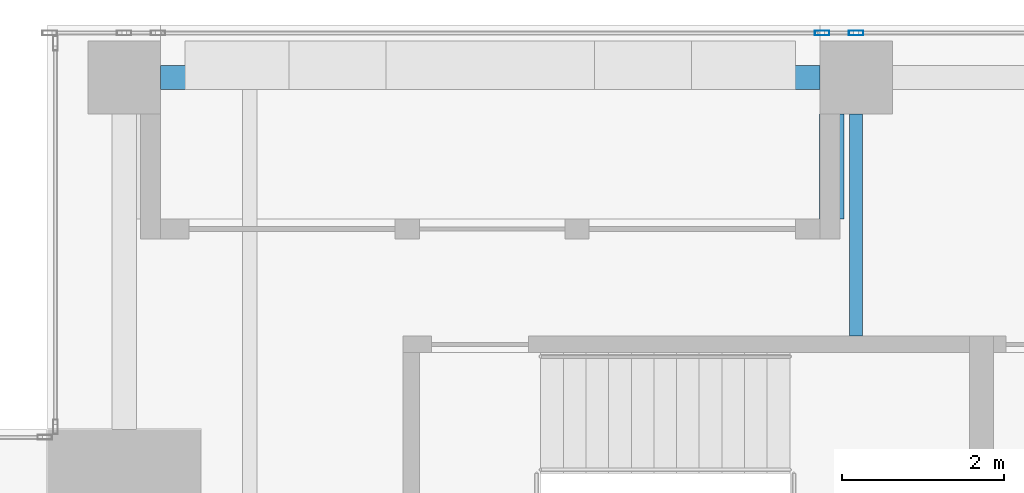
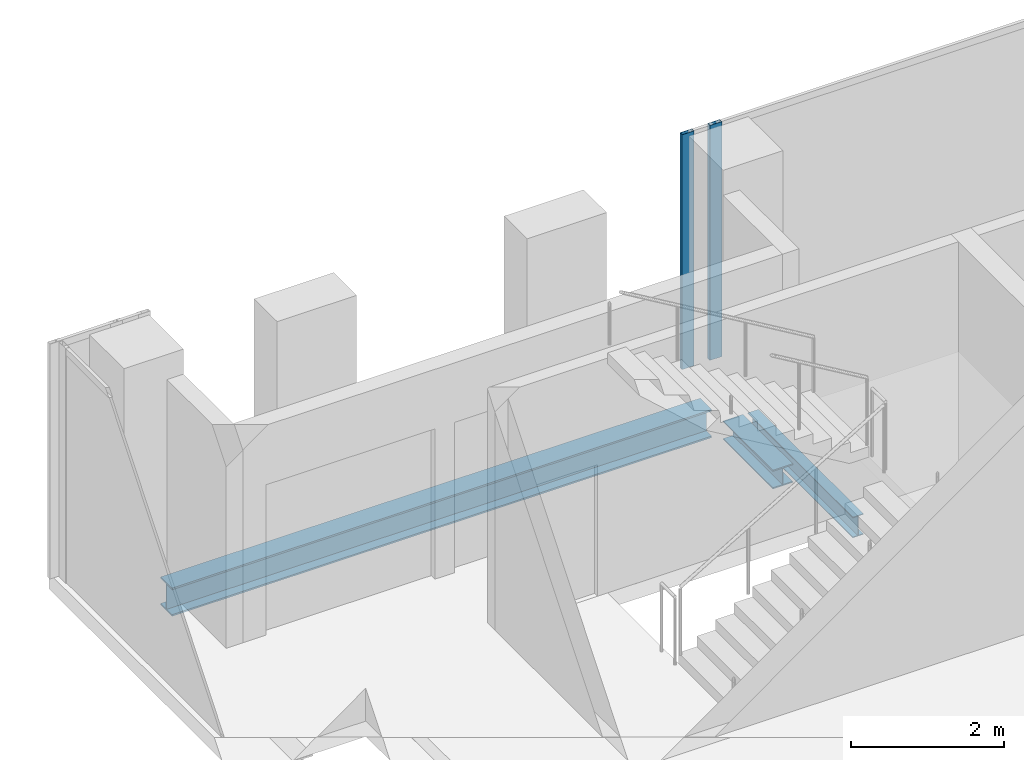
# One storey, part 19 of 36: 3 beams, 2 members, 1 element without a shape of its own.
"""IFC4 building model written with IfcOpenShell, lengths in metres."""

import ifcopenshell
import ifcopenshell.guid

model = None  # the IFC model being written
_history = None  # IfcOwnerHistory: only IFC2X3 demands one
_inside = {}  # id of a spatial element -> (the spatial element, [elements in it])
_under = {}  # id of a project, library or spatial element -> (it, [spatial elements below it])
_declared = {}  # id of a project -> (the project, [libraries it declares])
_typed = {}  # id of a type object -> (the type object, [elements of that type])
_made_of = {}  # id of a material, layer set ... -> (it, [elements and type objects made of it])


def new_model(schema):
    """Start an empty IFC model of exactly this schema.

    Asked for "IFC4X3", IfcOpenShell would pick the latest addendum, in which some entities
    have other attributes; the version numbers below select the first issue.
    IFC2X3 requires an IfcOwnerHistory on every rooted entity: one is made here for all.
    """
    global model, _history
    if schema == "IFC4X3":
        model = ifcopenshell.file(schema_version=(4, 3, 0, 0))
    else:
        model = ifcopenshell.file(schema=schema)
    _inside.clear()
    _under.clear()
    _declared.clear()
    _typed.clear()
    _made_of.clear()
    _history = None
    if model.schema == "IFC2X3":
        org = make("IfcOrganization", Name="unknown")
        user = make(
            "IfcPersonAndOrganization",
            ThePerson=make("IfcPerson", FamilyName="unknown"),
            TheOrganization=org,
        )
        app = make(
            "IfcApplication",
            ApplicationDeveloper=org,
            Version="unknown",
            ApplicationFullName="unknown",
            ApplicationIdentifier="unknown",
        )
        _history = make(
            "IfcOwnerHistory",
            OwningUser=user,
            OwningApplication=app,
            ChangeAction="ADDED",
            CreationDate=0,
        )
    return model


def make(cls, **values):
    """One entity of the class cls with the attributes given. An attribute that is None is left unset."""
    return model.create_entity(
        cls, **{name: value for name, value in values.items() if value is not None}
    )


def rooted(cls, **values):
    """An entity with a GlobalId (a new one), such as an element, a storey or a relation."""
    return make(cls, GlobalId=ifcopenshell.guid.new(), OwnerHistory=_history, **values)


def si_unit(unit_type, name, prefix=None):
    """IfcSIUnit, for example si_unit("LENGTHUNIT", "METRE", prefix="MILLI")."""
    return make("IfcSIUnit", UnitType=unit_type, Prefix=prefix, Name=name)


def assignment(units):
    """IfcUnitAssignment: the units of a project."""
    return None if units is None else make("IfcUnitAssignment", Units=units)


def point(xyz):
    """IfcCartesianPoint."""
    return None if xyz is None else make("IfcCartesianPoint", Coordinates=xyz)


def direction(xyz):
    """IfcDirection."""
    return None if xyz is None else make("IfcDirection", DirectionRatios=xyz)


def frame(location, z_axis=None, x_axis=None):
    """IfcAxis2Placement3D, a coordinate frame: its origin and axes. An axis left out is left unset."""
    return make(
        "IfcAxis2Placement3D",
        Location=point(location),
        Axis=direction(z_axis),
        RefDirection=direction(x_axis),
    )


def frame_2d(location, x_axis=None):
    """IfcAxis2Placement2D, a coordinate frame in the plane: its origin and x axis."""
    return make(
        "IfcAxis2Placement2D", Location=point(location), RefDirection=direction(x_axis)
    )


def origin():
    """The frame at (0, 0, 0) with its axes left unset."""
    return frame((0.0, 0.0, 0.0))


def origin_2d():
    """The frame at (0, 0) in the plane with its x axis left unset."""
    return frame_2d((0.0, 0.0))


def place(relative_to, where):
    """IfcLocalPlacement: puts the frame where relative to a parent placement (None: the world)."""
    return make(
        "IfcLocalPlacement", PlacementRelTo=relative_to, RelativePlacement=where
    )


def context(
    kind, dimensions, precision=None, world=None, true_north=None, identifier=None
):
    """IfcGeometricRepresentationContext, for example the 3D "Model" context."""
    return make(
        "IfcGeometricRepresentationContext",
        ContextIdentifier=identifier,
        ContextType=kind,
        CoordinateSpaceDimension=dimensions,
        Precision=precision,
        WorldCoordinateSystem=world,
        TrueNorth=true_north,
    )


def subcontext(parent, identifier, kind, view, scale=None):
    """IfcGeometricRepresentationSubContext, for example "Body" below "Model"."""
    return make(
        "IfcGeometricRepresentationSubContext",
        ContextIdentifier=identifier,
        ContextType=kind,
        ParentContext=parent,
        TargetScale=scale,
        TargetView=view,
    )


def project(units=None, contexts=None):
    """IfcProject with its units and contexts."""
    return rooted(
        "IfcProject",
        Name="project",
        RepresentationContexts=contexts,
        UnitsInContext=assignment(units),
    )


def spatial(cls, under=None, at=None, **own):
    """A site, building, storey or space (cls), placed at a placement, below another one or the project."""
    s = rooted(cls, ObjectPlacement=at, **own)
    if under is not None:
        _under.setdefault(under.id(), (under, []))[1].append(s)
    return s


def profile(cls, at=None, kind="AREA", **sizes):
    """A parametric profile (cls). Its sizes go by their IFC names, for example OverallWidth=200.0."""
    return make(cls, ProfileType=kind, Position=at, **sizes)


def hollow_rectangle(**sizes):
    """IfcRectangleHollowProfileDef."""
    return profile("IfcRectangleHollowProfileDef", **sizes)


def i_section(**sizes):
    """IfcIShapeProfileDef."""
    return profile("IfcIShapeProfileDef", **sizes)


def extrude(swept, where, along, depth):
    """IfcExtrudedAreaSolid: the profile swept, set in the frame where, extruded along a direction by depth."""
    return make(
        "IfcExtrudedAreaSolid",
        SweptArea=swept,
        Position=where,
        ExtrudedDirection=direction(along),
        Depth=depth,
    )


def shape(context_of_items, identifier, shape_type, items):
    """IfcShapeRepresentation: the items that make up one representation, for example the "Body"."""
    return make(
        "IfcShapeRepresentation",
        ContextOfItems=context_of_items,
        RepresentationIdentifier=identifier,
        RepresentationType=shape_type,
        Items=items,
    )


def source(mapping_origin, context_of_items, identifier, shape_type, items):
    """IfcRepresentationMap: a shape defined once, which mapped items show again and again."""
    return make(
        "IfcRepresentationMap",
        MappingOrigin=mapping_origin,
        MappedRepresentation=shape(context_of_items, identifier, shape_type, items),
    )


def transform(
    local_origin,
    x_axis=None,
    y_axis=None,
    z_axis=None,
    scale=None,
    scale2=None,
    scale3=None,
    uniform=True,
):
    """IfcCartesianTransformationOperator3D, or its non-uniform kind. x_axis, y_axis, z_axis: its Axis1, 2, 3."""
    if uniform:
        return make(
            "IfcCartesianTransformationOperator3D",
            Axis1=direction(x_axis),
            Axis2=direction(y_axis),
            LocalOrigin=point(local_origin),
            Scale=scale,
            Axis3=direction(z_axis),
        )
    return make(
        "IfcCartesianTransformationOperator3DnonUniform",
        Axis1=direction(x_axis),
        Axis2=direction(y_axis),
        LocalOrigin=point(local_origin),
        Scale=scale,
        Axis3=direction(z_axis),
        Scale2=scale2,
        Scale3=scale3,
    )


def mapped(mapping_source, mapping_target):
    """IfcMappedItem: shows the shape of a source again, moved by a transform."""
    return make(
        "IfcMappedItem", MappingSource=mapping_source, MappingTarget=mapping_target
    )


def material(Name=None, Category=None):
    """IfcMaterial."""
    return make("IfcMaterial", Name=Name, Category=Category)


def material_profile(
    of_material, cross_section, Name=None, Category=None, Priority=None
):
    """IfcMaterialProfile: a cross section and its material."""
    return make(
        "IfcMaterialProfile",
        Name=Name,
        Material=of_material,
        Profile=cross_section,
        Priority=Priority,
        Category=Category,
    )


def profile_set(profiles, Name=None, composite=None):
    """IfcMaterialProfileSet."""
    return make(
        "IfcMaterialProfileSet",
        Name=Name,
        MaterialProfiles=profiles,
        CompositeProfile=composite,
    )


def made_of(thing, what):
    """Note that an element or type object is made of a material, layer set ...; save() writes the relation."""
    if what is not None:
        _made_of.setdefault(what.id(), (what, []))[1].append(thing)
    return thing


def type_object(cls, material=None, **own):
    """A type object (cls), such as IfcWallType, which elements share."""
    return made_of(rooted(cls, **own), material)


def element(
    cls,
    number,
    at=None,
    inside=None,
    cuts=None,
    type_object=None,
    material=None,
    context=None,
    identifier="Body",
    shape_type=None,
    held_by="IfcProductDefinitionShape",
    body=None,
    shapes=None,
    **own,
):
    """One element of the class cls, such as IfcWall. Its Tag is "e" and its number.

    at: its placement. inside: the storey or other place that contains it. cuts: it is an
    opening in that element (IfcRelVoidsElement). A single representation is given by context,
    identifier, shape_type and body (its items); several are given by shapes. held_by: the class
    of the entity that holds the representations. save() writes the other relations.
    """
    e = rooted(cls, Tag="e%d" % number, ObjectPlacement=at, **own)
    if body is not None:
        shapes = [shape(context, identifier, shape_type, body)]
    if shapes is not None:
        e.Representation = make(held_by, Representations=shapes)
    if inside is not None:
        _inside.setdefault(inside.id(), (inside, []))[1].append(e)
    if cuts is not None:
        rooted(
            "IfcRelVoidsElement", RelatingBuildingElement=cuts, RelatedOpeningElement=e
        )
    if type_object is not None:
        _typed.setdefault(type_object.id(), (type_object, []))[1].append(e)
    return made_of(e, material)


def aggregate(whole, parts):
    """IfcRelAggregates: a whole, such as a stair, and the parts it consists of."""
    return rooted("IfcRelAggregates", RelatingObject=whole, RelatedObjects=parts)


def save(model, path):
    """Write the relations noted so far, then the file.

    IfcRelAggregates (storeys below a building ...), IfcRelContainedInSpatialStructure (elements
    in a storey), IfcRelDefinesByType, IfcRelAssociatesMaterial and IfcRelDeclares: one each for
    every whole, place, type object, material and project.
    """
    for whole, parts in _under.values():
        aggregate(whole, parts)
    for where, things in _inside.values():
        rooted(
            "IfcRelContainedInSpatialStructure",
            RelatedElements=things,
            RelatingStructure=where,
        )
    for kind, things in _typed.values():
        rooted("IfcRelDefinesByType", RelatedObjects=things, RelatingType=kind)
    for what, things in _made_of.values():
        rooted("IfcRelAssociatesMaterial", RelatedObjects=things, RelatingMaterial=what)
    for by, libraries in _declared.values():
        rooted("IfcRelDeclares", RelatingContext=by, RelatedDefinitions=libraries)
    model.write(path)


model = new_model("IFC4")

# Units and contexts
model_context = context("Model", 3, precision=1e-05, world=origin(), true_north=direction((0.0, 1.0)))
body_context = subcontext(model_context, "Body", "Model", "MODEL_VIEW")
ifc_project = project(units=[si_unit("LENGTHUNIT", "METRE"), si_unit("AREAUNIT", "SQUARE_METRE"), si_unit("VOLUMEUNIT", "CUBIC_METRE"), si_unit("PLANEANGLEUNIT", "RADIAN"), si_unit("MASSUNIT", "GRAM", prefix="KILO")], contexts=[model_context])

# Site, building, storey
site_placement = place(None, origin())
site = spatial("IfcSite", under=ifc_project, at=site_placement, CompositionType="ELEMENT")
building_placement = place(site_placement, origin())
building = spatial("IfcBuilding", under=site, at=building_placement, Name="Khomas Fold Tower", CompositionType="ELEMENT")
storey_placement = place(building_placement, frame((0.0, 0.0, 230.199951171875)))
storey = spatial("IfcBuildingStorey", under=building, at=storey_placement, Name="L51", CompositionType="ELEMENT", Elevation=230.199951171875)

# Beams
ifc_material_1 = material(Name="Steel S355", Category="steel")
ifc_material_profile_1 = material_profile(ifc_material_1, i_section(OverallWidth=0.159912109375, OverallDepth=0.330078125, WebThickness=0.007568359375, FlangeThickness=0.011474609375, at=origin_2d()), Name="IPE 330")
ifc_profile_set_1 = profile_set([ifc_material_profile_1], Name="Steel S355")
beam_type_1 = type_object("IfcBeamType", Name="IPE 330 beam JB1", PredefinedType="BEAM", material=ifc_profile_set_1)
shared_shape_1 = source(origin(), body_context, "Body", "SweptSolid", [
    extrude(i_section(OverallWidth=0.159912109375, OverallDepth=0.330078125, WebThickness=0.007568359375, FlangeThickness=0.011474609375, at=origin_2d()), origin(), (0.0, 0.0, 1.0), 2.75),
])
beam_1_placement = place(storey_placement, frame((19.5, 45.64990234375, -0.4150390625), z_axis=(0.0, 1.0, 0.0), x_axis=(-1.0, 0.0, 0.0)))
element("IfcBeam", 1, at=beam_1_placement, inside=storey, type_object=beam_type_1, Name="JB1", PredefinedType="BEAM", context=body_context, shape_type="MappedRepresentation", body=[
    mapped(shared_shape_1, transform((0.0, 0.0, 0.0))),
])
ifc_material_2 = material(Name="Steel S355", Category="steel")
ifc_material_profile_2 = material_profile(ifc_material_2, i_section(OverallWidth=0.300048828125, OverallDepth=0.449951171875, WebThickness=0.013916015625, FlangeThickness=0.02587890625, at=origin_2d()), Name="HE 450 B")
ifc_profile_set_2 = profile_set([ifc_material_profile_2], Name="Steel S355")
beam_type_2 = type_object("IfcBeamType", Name="HE 450 B spandrel SB4", PredefinedType="SPANDREL", material=ifc_profile_set_2)
shared_shape_2 = source(origin(), body_context, "Body", "SweptSolid", [
    extrude(i_section(OverallWidth=0.300048828125, OverallDepth=0.449951171875, WebThickness=0.013916015625, FlangeThickness=0.02587890625, at=origin_2d()), origin(), (0.0, 0.0, 1.0), 8.150146484375),
])
beam_2_placement = place(storey_placement, frame((10.89990234375, 48.85009765625, -0.474853515625), z_axis=(1.0, 0.0, 0.0), x_axis=(0.0, 1.0, 0.0)))
element("IfcBeam", 2, at=beam_2_placement, inside=storey, type_object=beam_type_2, Name="SB4", PredefinedType="SPANDREL", context=body_context, shape_type="MappedRepresentation", body=[
    mapped(shared_shape_2, transform((0.0, 0.0, 0.0))),
])
ifc_material_3 = material(Name="Steel S355", Category="steel")
ifc_material_profile_3 = material_profile(ifc_material_3, i_section(OverallWidth=0.300048828125, OverallDepth=0.300048828125, WebThickness=0.010986328125, FlangeThickness=0.01904296875, at=origin_2d()), Name="HE 300 B")
ifc_profile_set_3 = profile_set([ifc_material_profile_3], Name="Steel S355")
beam_type_3 = type_object("IfcBeamType", Name="HE 300 B beam BB1", PredefinedType="BEAM", material=ifc_profile_set_3)
shared_shape_3 = source(origin(), body_context, "Body", "SweptSolid", [
    extrude(i_section(OverallWidth=0.300048828125, OverallDepth=0.300048828125, WebThickness=0.010986328125, FlangeThickness=0.01904296875, at=origin_2d()), origin(), (0.0, 0.0, 1.0), 1.2998046875),
])
beam_3_placement = place(storey_placement, frame((19.199951171875, 47.10009765625, -0.39990234375), z_axis=(0.0, 1.0, 0.0), x_axis=(-1.0, 0.0, 0.0)))
element("IfcBeam", 3, at=beam_3_placement, inside=storey, type_object=beam_type_3, Name="BB1", PredefinedType="BEAM", context=body_context, shape_type="MappedRepresentation", body=[
    mapped(shared_shape_3, transform((0.0, 0.0, 0.0))),
])

# Curtain wall, members
ifc_material_4 = material(Name="Aluminium framed double glazing", Category="aluminium")
curtain_wall_type = type_object("IfcCurtainWallType", Name="SK-Unitised clear-glass wall, office floors CW2", PredefinedType="NOTDEFINED", material=ifc_material_4)
curtain_wall_placement = place(storey_placement, origin())
curtain_wall = element("IfcCurtainWall", 4, at=curtain_wall_placement, inside=storey, type_object=curtain_wall_type, Name="CW2 run L51 06-0", PredefinedType="NOTDEFINED")
ifc_material_5 = material(Name="Aluminium", Category="aluminium")
ifc_material_profile_4 = material_profile(ifc_material_5, hollow_rectangle(XDim=0.06005859375, YDim=0.179931640625, WallThickness=0.00390625, at=origin_2d()), Name="SK-Unitised clear-glass wall, office floors mullion CW2-M")
ifc_profile_set_4 = profile_set([ifc_material_profile_4], Name="Aluminium")
member_type = type_object("IfcMemberType", Name="SK-Unitised clear-glass wall, office floors mullion CW2-M", PredefinedType="MULLION", material=ifc_profile_set_4)
shared_shape_4 = source(origin(), body_context, "Body", "SweptSolid", [
    extrude(hollow_rectangle(XDim=0.06005859375, YDim=0.179931640625, WallThickness=0.00390625, at=origin_2d()), origin(), (0.0, 0.0, 1.0), 3.75),
])
member_1_placement = place(storey_placement, frame((19.5, 49.39990234375, 0.0), z_axis=(0.0, 0.0, 1.0), x_axis=(0.0, -1.0, 0.0)))
member_1 = element("IfcMember", 5, at=member_1_placement, type_object=member_type, Name="CW2 mullion 5", PredefinedType="MULLION", context=body_context, shape_type="MappedRepresentation", body=[
    mapped(shared_shape_4, transform((0.0, 0.0, 0.0))),
])
member_2_placement = place(storey_placement, frame((19.080078125, 49.39990234375, 0.0), z_axis=(0.0, 0.0, 1.0), x_axis=(0.0, -1.0, 0.0)))
member_2 = element("IfcMember", 6, at=member_2_placement, type_object=member_type, Name="CW2 mullion 6", PredefinedType="MULLION", context=body_context, shape_type="MappedRepresentation", body=[
    mapped(shared_shape_4, transform((0.0, 0.0, 0.0))),
])
aggregate(curtain_wall, [member_1, member_2])

save(model, "model.ifc")
